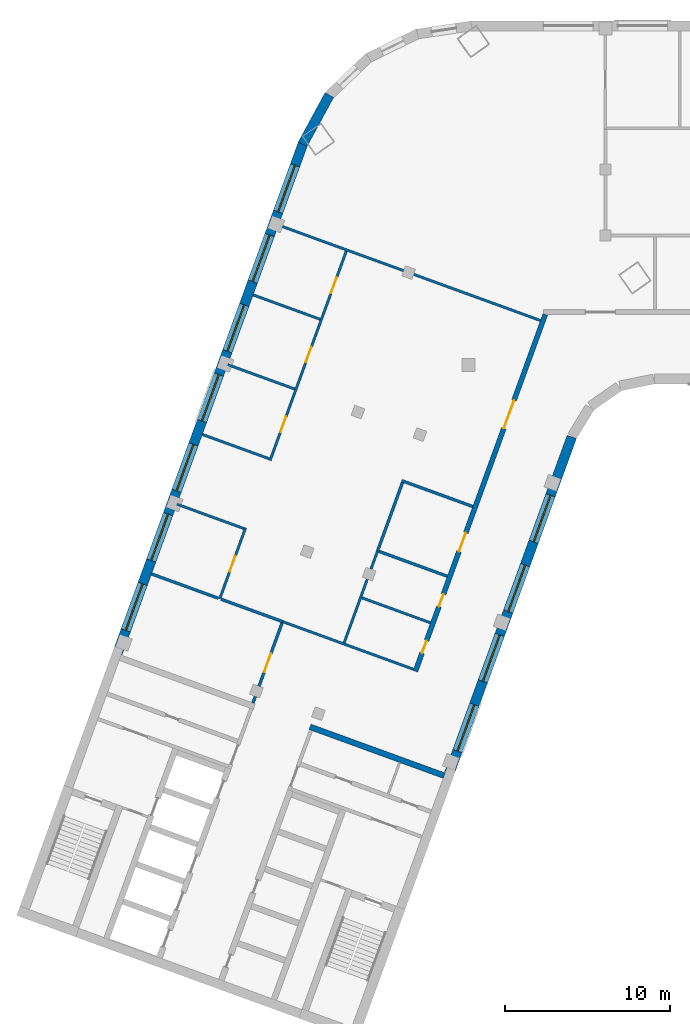
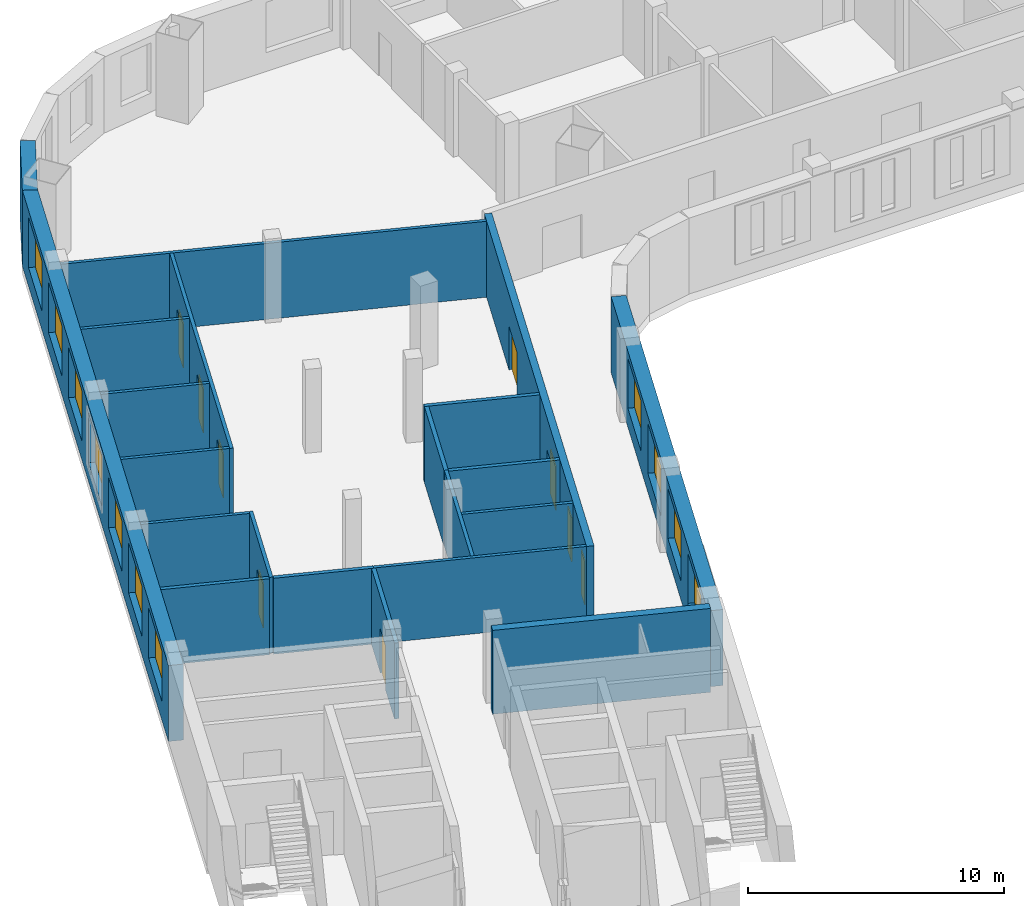
# One storey, part 3 of 8: 21 walls, 11 windows, 9 doors, 20 openings.
"""IFC4 building model written with IfcOpenShell, lengths in metres."""

from ifc_helpers import new_model, si_unit, direction, frame, frame_2d, origin, place, context, subcontext, project, spatial, rectangle, extrude, material, layer, layer_set, type_object, element, fill, save


model = new_model("IFC4")

# Units and contexts
model_context = context("Model", 3, precision=1e-05, world=origin(), true_north=direction((0.0, 1.0)))
body_context = subcontext(model_context, "Body", "Model", "MODEL_VIEW")
ifc_project = project(units=[si_unit("LENGTHUNIT", "METRE"), si_unit("AREAUNIT", "SQUARE_METRE"), si_unit("VOLUMEUNIT", "CUBIC_METRE"), si_unit("PLANEANGLEUNIT", "RADIAN"), si_unit("MASSUNIT", "GRAM", prefix="KILO")], contexts=[model_context])

# Site, building, storey
site_placement = place(None, origin())
site = spatial("IfcSite", under=ifc_project, at=site_placement, CompositionType="ELEMENT")
building_placement = place(site_placement, origin())
building = spatial("IfcBuilding", under=site, at=building_placement, Name="Skarvind Civic Tower", CompositionType="ELEMENT")
storey_placement = place(building_placement, frame((0.0, 0.0, 146.5)))
storey = spatial("IfcBuildingStorey", under=building, at=storey_placement, Name="L34", CompositionType="ELEMENT", Elevation=146.5)

# Walls
ifc_material_1 = material(Name="Acoustic gypsum board on steel studs", Category="steel")
ifc_layer_1 = layer(ifc_material_1, 0.175048828125)
ifc_layer_set_1 = layer_set([ifc_layer_1], Name="ACOUSTIC MEETING-ROOM PARTITION 175")
wall_type_1 = type_object("IfcWallType", Name="ACOUSTIC MEETING-ROOM PARTITION 175", PredefinedType="PARTITIONING", material=ifc_layer_set_1)
wall_1_placement = place(storey_placement, frame((26.736083984375, 105.47998046875, 0.0), z_axis=(0.0, 0.0, 1.0), x_axis=(0.939677739056, -0.342061027776, 0.0)))
element("IfcWall", 1, at=wall_1_placement, inside=storey, type_object=wall_type_1, Name="Partition 34.001", PredefinedType="PARTITIONING", context=body_context, shape_type="SweptSolid", body=[
    extrude(rectangle(XDim=4.315185546875, YDim=0.175048828125, at=frame_2d((2.15771484375, 0.0))), origin(), (0.0, 0.0, 1.0), 3.625),
])
wall_2_placement = place(storey_placement, frame((30.949951171875, 103.946044921875, 0.0), z_axis=(0.0, 0.0, 1.0), x_axis=(0.939739492658, -0.341891336449, 0.0)))
element("IfcWall", 2, at=wall_2_placement, inside=storey, type_object=wall_type_1, Name="Partition 34.003", PredefinedType="PARTITIONING", context=body_context, shape_type="SweptSolid", body=[
    extrude(rectangle(XDim=3.966064453125, YDim=0.175048828125, at=frame_2d((1.98291015625, 0.0))), origin(), (0.0, 0.0, 1.0), 3.625),
])

# Wall, opening, door
wall_3_placement = place(storey_placement, frame((32.881103515625, 97.656982421875, 0.0), z_axis=(0.0, 0.0, 1.0), x_axis=(0.342058204353, 0.939678766832, 0.0)))
wall_3 = element("IfcWall", 3, at=wall_3_placement, inside=storey, type_object=wall_type_1, Name="Partition 34.010", PredefinedType="PARTITIONING", context=body_context, shape_type="SweptSolid", body=[
    extrude(rectangle(XDim=5.16259765625, YDim=0.175048828125, at=frame_2d((2.581298828125, 0.0))), origin(), (0.0, 0.0, 1.0), 3.625),
])
opening_1_placement = place(wall_3_placement, frame((1.9912109375, 0.0, 0.0)))
opening_1 = element("IfcOpeningElement", 4, at=opening_1_placement, cuts=wall_3, Name="Opening L34-D015", PredefinedType="OPENING", context=body_context, shape_type="SweptSolid", body=[
    extrude(rectangle(XDim=1.199951171875, YDim=2.10009765625, at=frame_2d((0.60009765625, 1.050048828125))), frame((0.0, 0.097412109375, 0.0), z_axis=(0.0, -1.0, 0.0), x_axis=(1.0, 0.0, 0.0)), (0.0, 0.0, 1.0), 0.195068359375),
])
ifc_material_2 = material(Name="Timber door leaf", Category="wood")
door_type_1 = type_object("IfcDoorType", Name="DOOR 1200X2100 DOUBLE TIMBER", OperationType="NOTDEFINED", PredefinedType="DOOR", material=ifc_material_2)
door_1_placement = place(opening_1_placement, origin())
door_1 = element("IfcDoor", 5, at=door_1_placement, inside=storey, type_object=door_type_1, Name="Door L34-D015", OperationType="DOUBLE_DOOR_SINGLE_SWING", OverallHeight=2.10009765625, OverallWidth=1.199951171875, PredefinedType="DOOR", context=body_context, shape_type="SweptSolid", body=[
    extrude(rectangle(XDim=1.199951171875, YDim=2.10009765625, at=frame_2d((0.60009765625, 1.050048828125))), frame((0.0, 0.02490234375, 0.0), z_axis=(0.0, -1.0, 0.0), x_axis=(1.0, 0.0, 0.0)), (0.0, 0.0, 1.0), 0.050048828125),
])
fill(opening_1, door_1)

# Walls
wall_4_placement = place(storey_placement, frame((40.52197265625, 106.847900390625, 0.0), z_axis=(0.0, 0.0, 1.0), x_axis=(0.939646357962, -0.342147222654, 0.0)))
element("IfcWall", 6, at=wall_4_placement, inside=storey, type_object=wall_type_1, Name="Partition 34.015", PredefinedType="PARTITIONING", context=body_context, shape_type="SweptSolid", body=[
    extrude(rectangle(XDim=4.413330078125, YDim=0.175048828125, at=frame_2d((2.20654296875, 0.0))), origin(), (0.0, 0.0, 1.0), 3.625),
])
wall_5_placement = place(storey_placement, frame((41.949951171875, 111.02392578125, 0.0), z_axis=(0.0, 0.0, 1.0), x_axis=(-0.342218375959, -0.939620446327, 0.0)))
element("IfcWall", 7, at=wall_5_placement, inside=storey, type_object=wall_type_1, Name="Partition 34.016", PredefinedType="PARTITIONING", context=body_context, shape_type="SweptSolid", body=[
    extrude(rectangle(XDim=4.412353515625, YDim=0.175048828125, at=frame_2d((2.2060546875, 0.0))), origin(), (0.0, 0.0, 1.0), 3.625),
])
wall_6_placement = place(storey_placement, frame((46.2080078125, 109.56689453125, 0.0), z_axis=(0.0, 0.0, 1.0), x_axis=(-0.939667480086, 0.342089208934, 0.0)))
element("IfcWall", 8, at=wall_6_placement, inside=storey, type_object=wall_type_1, Name="Partition 34.018", PredefinedType="PARTITIONING", context=body_context, shape_type="SweptSolid", body=[
    extrude(rectangle(XDim=4.586669921875, YDim=0.175048828125, at=frame_2d((2.29345703125, 0.0))), origin(), (0.0, 0.0, 1.0), 3.625),
])

# Wall, openings, doors
ifc_material_3 = material(Name="Fire-rated gypsum board on steel studs", Category="steel")
ifc_layer_2 = layer(ifc_material_3, 0.300048828125)
ifc_layer_set_2 = layer_set([ifc_layer_2], Name="CORRIDOR WALL 300")
wall_type_2 = type_object("IfcWallType", Name="CORRIDOR WALL 300", PredefinedType="PARTITIONING", material=ifc_layer_set_2)
wall_7_placement = place(storey_placement, frame((42.73193359375, 99.5791015625, 0.0), z_axis=(0.0, 0.0, 1.0), x_axis=(0.342036000593, 0.939686849061, 0.0)))
wall_7 = element("IfcWall", 9, at=wall_7_placement, inside=storey, type_object=wall_type_2, Name="Partition 34.017", PredefinedType="PARTITIONING", context=body_context, shape_type="SweptSolid", body=[
    extrude(rectangle(XDim=23.01806640625, YDim=0.300048828125, at=frame_2d((11.509033203125, 0.0))), origin(), (0.0, 0.0, 1.0), 3.625),
])
opening_2_placement = place(wall_7_placement, frame((1.174560546875, 0.0, 0.0)))
opening_2 = element("IfcOpeningElement", 10, at=opening_2_placement, cuts=wall_7, Name="Opening L34-D016", PredefinedType="OPENING", context=body_context, shape_type="SweptSolid", body=[
    extrude(rectangle(XDim=0.800048828125, YDim=2.10009765625, at=frame_2d((0.39990234375, 1.050048828125))), frame((0.0, 0.159912109375, 0.0), z_axis=(0.0, -1.0, 0.0), x_axis=(1.0, 0.0, 0.0)), (0.0, 0.0, 1.0), 0.320068359375),
])
opening_3_placement = place(wall_7_placement, frame((4.174560546875, 0.0, 0.0)))
opening_3 = element("IfcOpeningElement", 11, at=opening_3_placement, cuts=wall_7, Name="Opening L34-D017", PredefinedType="OPENING", context=body_context, shape_type="SweptSolid", body=[
    extrude(rectangle(XDim=0.800048828125, YDim=2.10009765625, at=frame_2d((0.39990234375, 1.050048828125))), frame((0.0, 0.159912109375, 0.0), z_axis=(0.0, -1.0, 0.0), x_axis=(1.0, 0.0, 0.0)), (0.0, 0.0, 1.0), 0.320068359375),
])
opening_4_placement = place(wall_7_placement, frame((7.724609375, 0.0, 0.0)))
opening_4 = element("IfcOpeningElement", 12, at=opening_4_placement, cuts=wall_7, Name="Opening L34-D018", PredefinedType="OPENING", context=body_context, shape_type="SweptSolid", body=[
    extrude(rectangle(XDim=1.199951171875, YDim=2.10009765625, at=frame_2d((0.60009765625, 1.050048828125))), frame((0.0, 0.159912109375, 0.0), z_axis=(0.0, -1.0, 0.0), x_axis=(1.0, 0.0, 0.0)), (0.0, 0.0, 1.0), 0.320068359375),
])
opening_5_placement = place(wall_7_placement, frame((15.674560546875, 0.0, 0.0)))
opening_5 = element("IfcOpeningElement", 13, at=opening_5_placement, cuts=wall_7, Name="Opening L34-D023", PredefinedType="OPENING", context=body_context, shape_type="SweptSolid", body=[
    extrude(rectangle(XDim=1.800048828125, YDim=2.10009765625, at=frame_2d((0.89990234375, 1.050048828125))), frame((0.0, 0.159912109375, 0.0), z_axis=(0.0, -1.0, 0.0), x_axis=(1.0, 0.0, 0.0)), (0.0, 0.0, 1.0), 0.320068359375),
])
ifc_material_4 = material(Name="Fire-rated timber door leaf", Category="wood")
door_type_2 = type_object("IfcDoorType", Name="FD4 1800x2100", OperationType="NOTDEFINED", PredefinedType="DOOR", material=ifc_material_4)
door_2_placement = place(opening_5_placement, origin())
door_2 = element("IfcDoor", 14, at=door_2_placement, inside=storey, type_object=door_type_2, Name="Door L34-D023", OperationType="DOUBLE_DOOR_SINGLE_SWING", OverallHeight=2.10009765625, OverallWidth=1.800048828125, PredefinedType="DOOR", context=body_context, shape_type="SweptSolid", body=[
    extrude(rectangle(XDim=1.800048828125, YDim=2.10009765625, at=frame_2d((0.89990234375, 1.050048828125))), frame((0.0, 0.02490234375, 0.0), z_axis=(0.0, -1.0, 0.0), x_axis=(1.0, 0.0, 0.0)), (0.0, 0.0, 1.0), 0.050048828125),
])
fill(opening_5, door_2)
door_type_3 = type_object("IfcDoorType", Name="FD5 800x2100", OperationType="NOTDEFINED", PredefinedType="DOOR", material=ifc_material_4)
door_3_placement = place(opening_2_placement, origin())
door_3 = element("IfcDoor", 15, at=door_3_placement, inside=storey, type_object=door_type_3, Name="Door L34-D016", OperationType="SINGLE_SWING_RIGHT", OverallHeight=2.10009765625, OverallWidth=0.800048828125, PredefinedType="DOOR", context=body_context, shape_type="SweptSolid", body=[
    extrude(rectangle(XDim=0.800048828125, YDim=2.10009765625, at=frame_2d((0.39990234375, 1.050048828125))), frame((0.0, 0.02490234375, 0.0), z_axis=(0.0, -1.0, 0.0), x_axis=(1.0, 0.0, 0.0)), (0.0, 0.0, 1.0), 0.050048828125),
])
fill(opening_2, door_3)
door_4_placement = place(opening_3_placement, origin())
door_4 = element("IfcDoor", 16, at=door_4_placement, inside=storey, type_object=door_type_3, Name="Door L34-D017", OperationType="SINGLE_SWING_LEFT", OverallHeight=2.10009765625, OverallWidth=0.800048828125, PredefinedType="DOOR", context=body_context, shape_type="SweptSolid", body=[
    extrude(rectangle(XDim=0.800048828125, YDim=2.10009765625, at=frame_2d((0.39990234375, 1.050048828125))), frame((0.0, 0.02490234375, 0.0), z_axis=(0.0, -1.0, 0.0), x_axis=(1.0, 0.0, 0.0)), (0.0, 0.0, 1.0), 0.050048828125),
])
fill(opening_3, door_4)
door_type_4 = type_object("IfcDoorType", Name="FD6 1200x2100 DOUBLE", OperationType="NOTDEFINED", PredefinedType="DOOR", material=ifc_material_4)
door_5_placement = place(opening_4_placement, origin())
door_5 = element("IfcDoor", 17, at=door_5_placement, inside=storey, type_object=door_type_4, Name="Door L34-D018", OperationType="DOUBLE_DOOR_SINGLE_SWING", OverallHeight=2.10009765625, OverallWidth=1.199951171875, PredefinedType="DOOR", context=body_context, shape_type="SweptSolid", body=[
    extrude(rectangle(XDim=1.199951171875, YDim=2.10009765625, at=frame_2d((0.60009765625, 1.050048828125))), frame((0.0, 0.02490234375, 0.0), z_axis=(0.0, -1.0, 0.0), x_axis=(1.0, 0.0, 0.0)), (0.0, 0.0, 1.0), 0.050048828125),
])
fill(opening_4, door_5)

# Walls
ifc_material_5 = material(Name="Concrete C60", Category="concrete")
ifc_layer_3 = layer(ifc_material_5, 0.35009765625)
ifc_layer_set_3 = layer_set([ifc_layer_3], Name="Core wall 350 C60")
wall_type_3 = type_object("IfcWallType", Name="Core wall 350 C60", PredefinedType="SHEAR", material=ifc_layer_set_3)
wall_8_placement = place(storey_placement, frame((44.473388671875, 93.25146484375, 0.0), z_axis=(0.0, 0.0, 1.0), x_axis=(-0.939692847377, 0.34201952077, 0.0)))
element("IfcWall", 18, at=wall_8_placement, inside=storey, type_object=wall_type_3, Name="Core wall C2 south inner face L34", PredefinedType="SHEAR", context=body_context, shape_type="SweptSolid", body=[
    extrude(rectangle(XDim=8.650146484375, YDim=0.35009765625, at=frame_2d((4.3251953125, 0.0))), origin(), (0.0, 0.0, 1.0), 4.0),
])
ifc_material_6 = material(Name="Plasterboard partition on steel studs", Category="steel")
ifc_layer_4 = layer(ifc_material_6, 0.14990234375)
ifc_layer_set_4 = layer_set([ifc_layer_4], Name="PARTITION 150")
wall_type_4 = type_object("IfcWallType", Name="PARTITION 150", PredefinedType="PARTITIONING", material=ifc_layer_set_4)
wall_9_placement = place(storey_placement, frame((28.27490234375, 109.708984375, 0.0), z_axis=(0.0, 0.0, 1.0), x_axis=(0.939737385516, -0.341897128188, 0.0)))
element("IfcWall", 19, at=wall_9_placement, inside=storey, type_object=wall_type_4, Name="Partition 34.002", PredefinedType="PARTITIONING", context=body_context, shape_type="SweptSolid", body=[
    extrude(rectangle(XDim=4.325927734375, YDim=0.14990234375, at=frame_2d((2.1630859375, 0.0))), origin(), (0.0, 0.0, 1.0), 3.625),
])
wall_10_placement = place(storey_placement, frame((31.35302734375, 118.166015625, 0.0), z_axis=(0.0, 0.0, 1.0), x_axis=(0.939803311208, -0.341715870634, 0.0)))
element("IfcWall", 20, at=wall_10_placement, inside=storey, type_object=wall_type_4, Name="Partition 34.004", PredefinedType="PARTITIONING", context=body_context, shape_type="SweptSolid", body=[
    extrude(rectangle(XDim=4.3251953125, YDim=0.14990234375, at=frame_2d((2.16259765625, 0.0))), origin(), (0.0, 0.0, 1.0), 3.625),
])

# Wall, opening, door
wall_11_placement = place(storey_placement, frame((32.43603515625, 108.27392578125, 0.0), z_axis=(0.0, 0.0, 1.0), x_axis=(-0.342145890874, -0.939646842893, 0.0)))
wall_11 = element("IfcWall", 21, at=wall_11_placement, inside=storey, type_object=wall_type_4, Name="Partition 34.005", PredefinedType="PARTITIONING", context=body_context, shape_type="SweptSolid", body=[
    extrude(rectangle(XDim=4.573974609375, YDim=0.14990234375, at=frame_2d((2.287109375, 0.0))), origin(), (0.0, 0.0, 1.0), 3.625),
])
opening_6_placement = place(wall_11_placement, frame((1.82421875, 0.0, 0.0)))
opening_6 = element("IfcOpeningElement", 22, at=opening_6_placement, cuts=wall_11, Name="Opening L34-D019", PredefinedType="OPENING", context=body_context, shape_type="SweptSolid", body=[
    extrude(rectangle(XDim=1.0, YDim=2.10009765625, at=frame_2d((0.5, 1.050048828125))), frame((0.0, 0.0849609375, 0.0), z_axis=(0.0, -1.0, 0.0), x_axis=(1.0, 0.0, 0.0)), (0.0, 0.0, 1.0), 0.169921875),
])
door_type_5 = type_object("IfcDoorType", Name="D1 1000x2100", OperationType="NOTDEFINED", PredefinedType="DOOR", material=ifc_material_2)
door_6_placement = place(opening_6_placement, origin())
door_6 = element("IfcDoor", 23, at=door_6_placement, inside=storey, type_object=door_type_5, Name="Door L34-D019", OperationType="SINGLE_SWING_LEFT", OverallHeight=2.10009765625, OverallWidth=1.0, PredefinedType="DOOR", context=body_context, shape_type="SweptSolid", body=[
    extrude(rectangle(XDim=1.0, YDim=2.10009765625, at=frame_2d((0.5, 1.050048828125))), frame((0.0, 0.02490234375, 0.0), z_axis=(0.0, -1.0, 0.0), x_axis=(1.0, 0.0, 0.0)), (0.0, 0.0, 1.0), 0.050048828125),
])
fill(opening_6, door_6)

# Walls
for number, where, z_axis, x_axis, name in (
    (24, (32.89208984375, 122.39501953125, 0.0), (0.0, 0.0, 1.0), (0.93973078783, -0.341915262023, 0.0), "Partition 34.006"),
    (25, (33.87890625, 112.458984375, 0.0), (0.0, 0.0, 1.0), (-0.93973078783, 0.341915262023, 0.0), "Partition 34.007"),
):
    element("IfcWall", number, at=place(storey_placement, frame(where, z_axis=z_axis, x_axis=x_axis)), inside=storey, type_object=wall_type_4, Name=name, PredefinedType="PARTITIONING", context=body_context, shape_type="SweptSolid", body=[
        extrude(rectangle(XDim=4.32568359375, YDim=0.14990234375, at=frame_2d((2.162841796875, 0.0))), origin(), (0.0, 0.0, 1.0), 3.625),
    ])

# Wall, openings, doors
wall_12_placement = place(storey_placement, frame((38.5400390625, 125.049072265625, 0.0), z_axis=(0.0, 0.0, 1.0), x_axis=(-0.341994252555, -0.939702043852, 0.0)))
wall_12 = element("IfcWall", 26, at=wall_12_placement, inside=storey, type_object=wall_type_4, Name="Partition 34.008", PredefinedType="PARTITIONING", context=body_context, shape_type="SweptSolid", body=[
    extrude(rectangle(XDim=13.5, YDim=0.14990234375, at=frame_2d((6.75, 0.0))), origin(), (0.0, 0.0, 1.0), 3.625),
])
opening_7_placement = place(wall_12_placement, frame((10.67529296875, 0.0, 0.0)))
opening_7 = element("IfcOpeningElement", 27, at=opening_7_placement, cuts=wall_12, Name="Opening L34-D020", PredefinedType="OPENING", context=body_context, shape_type="SweptSolid", body=[
    extrude(rectangle(XDim=1.0, YDim=2.10009765625, at=frame_2d((0.5, 1.050048828125))), frame((0.0, 0.0849609375, 0.0), z_axis=(0.0, -1.0, 0.0), x_axis=(1.0, 0.0, 0.0)), (0.0, 0.0, 1.0), 0.169921875),
])
opening_8_placement = place(wall_12_placement, frame((6.175537109375, 0.0, 0.0)))
opening_8 = element("IfcOpeningElement", 28, at=opening_8_placement, cuts=wall_12, Name="Opening L34-D021", PredefinedType="OPENING", context=body_context, shape_type="SweptSolid", body=[
    extrude(rectangle(XDim=1.0, YDim=2.10009765625, at=frame_2d((0.5, 1.050048828125))), frame((0.0, 0.0849609375, 0.0), z_axis=(0.0, -1.0, 0.0), x_axis=(1.0, 0.0, 0.0)), (0.0, 0.0, 1.0), 0.169921875),
])
opening_9_placement = place(wall_12_placement, frame((1.70263671875, 0.0, 0.0)))
opening_9 = element("IfcOpeningElement", 29, at=opening_9_placement, cuts=wall_12, Name="Opening L34-D022", PredefinedType="OPENING", context=body_context, shape_type="SweptSolid", body=[
    extrude(rectangle(XDim=1.0, YDim=2.10009765625, at=frame_2d((0.5, 1.050048828125))), frame((0.0, 0.0849609375, 0.0), z_axis=(0.0, -1.0, 0.0), x_axis=(1.0, 0.0, 0.0)), (0.0, 0.0, 1.0), 0.169921875),
])
door_7_placement = place(opening_7_placement, origin())
door_7 = element("IfcDoor", 30, at=door_7_placement, inside=storey, type_object=door_type_5, Name="Door L34-D020", OperationType="SINGLE_SWING_LEFT", OverallHeight=2.10009765625, OverallWidth=1.0, PredefinedType="DOOR", context=body_context, shape_type="SweptSolid", body=[
    extrude(rectangle(XDim=1.0, YDim=2.10009765625, at=frame_2d((0.5, 1.050048828125))), frame((0.0, 0.02490234375, 0.0), z_axis=(0.0, -1.0, 0.0), x_axis=(1.0, 0.0, 0.0)), (0.0, 0.0, 1.0), 0.050048828125),
])
fill(opening_7, door_7)
door_8_placement = place(opening_8_placement, origin())
door_8 = element("IfcDoor", 31, at=door_8_placement, inside=storey, type_object=door_type_5, Name="Door L34-D021", OperationType="SINGLE_SWING_LEFT", OverallHeight=2.10009765625, OverallWidth=1.0, PredefinedType="DOOR", context=body_context, shape_type="SweptSolid", body=[
    extrude(rectangle(XDim=1.0, YDim=2.10009765625, at=frame_2d((0.5, 1.050048828125))), frame((0.0, 0.02490234375, 0.0), z_axis=(0.0, -1.0, 0.0), x_axis=(1.0, 0.0, 0.0)), (0.0, 0.0, 1.0), 0.050048828125),
])
fill(opening_8, door_8)
door_9_placement = place(opening_9_placement, origin())
door_9 = element("IfcDoor", 32, at=door_9_placement, inside=storey, type_object=door_type_5, Name="Door L34-D022", OperationType="SINGLE_SWING_LEFT", OverallHeight=2.10009765625, OverallWidth=1.0, PredefinedType="DOOR", context=body_context, shape_type="SweptSolid", body=[
    extrude(rectangle(XDim=1.0, YDim=2.10009765625, at=frame_2d((0.5, 1.050048828125))), frame((0.0, 0.02490234375, 0.0), z_axis=(0.0, -1.0, 0.0), x_axis=(1.0, 0.0, 0.0)), (0.0, 0.0, 1.0), 0.050048828125),
])
fill(opening_9, door_9)

# Walls
wall_13_placement = place(storey_placement, frame((34.431884765625, 126.6240234375, 0.0), z_axis=(0.0, 0.0, 1.0), x_axis=(0.939664702396, -0.342096838733, 0.0)))
element("IfcWall", 33, at=wall_13_placement, inside=storey, type_object=wall_type_4, Name="Partition 34.009", PredefinedType="PARTITIONING", context=body_context, shape_type="SweptSolid", body=[
    extrude(rectangle(XDim=16.898681640625, YDim=0.14990234375, at=frame_2d((8.44921875, 0.0))), origin(), (0.0, 0.0, 1.0), 3.625),
])
wall_14_placement = place(storey_placement, frame((34.677001953125, 102.590087890625, 0.0), z_axis=(0.0, 0.0, 1.0), x_axis=(0.939683705252, -0.342044637561, 0.0)))
element("IfcWall", 34, at=wall_14_placement, inside=storey, type_object=wall_type_4, Name="Partition 34.011", PredefinedType="PARTITIONING", context=body_context, shape_type="SweptSolid", body=[
    extrude(rectangle(XDim=8.44970703125, YDim=0.14990234375, at=frame_2d((4.224853515625, 0.0))), origin(), (0.0, 0.0, 1.0), 3.625),
])
wall_15_placement = place(storey_placement, frame((38.4140625, 101.30908203125, 0.0), z_axis=(0.0, 0.0, 1.0), x_axis=(0.34186876189, 0.939747705315, 0.0)))
element("IfcWall", 35, at=wall_15_placement, inside=storey, type_object=wall_type_4, Name="Partition 34.013", PredefinedType="PARTITIONING", context=body_context, shape_type="SweptSolid", body=[
    extrude(rectangle(XDim=5.92578125, YDim=0.14990234375, at=frame_2d((2.962890625, 0.0))), origin(), (0.0, 0.0, 1.0), 3.625),
])
wall_16_placement = place(storey_placement, frame((39.48388671875, 104.032958984375, 0.0), z_axis=(0.0, 0.0, 1.0), x_axis=(0.939685474739, -0.342039776289, 0.0)))
element("IfcWall", 36, at=wall_16_placement, inside=storey, type_object=wall_type_4, Name="Partition 34.014", PredefinedType="PARTITIONING", context=body_context, shape_type="SweptSolid", body=[
    extrude(rectangle(XDim=4.426025390625, YDim=0.14990234375, at=frame_2d((2.212890625, 0.0))), origin(), (0.0, 0.0, 1.0), 3.625),
])

# Wall, openings, windows
ifc_material_7 = material(Name="Limestone masonry cladding on insulated backing", Category="masonry")
ifc_layer_5 = layer(ifc_material_7, 0.60009765625)
ifc_layer_set_5 = layer_set([ifc_layer_5], Name="WX1 STONE FACADE WALL 600")
wall_type_5 = type_object("IfcWallType", Name="WX1 STONE FACADE WALL 600", PredefinedType="SOLIDWALL", material=ifc_layer_set_5)
wall_17_placement = place(storey_placement, frame((52.212158203125, 113.78271484375, 0.0), z_axis=(0.0, 0.0, 1.0), x_axis=(-0.34202521188, -0.939690775968, 0.0)))
wall_17 = element("IfcWall", 37, at=wall_17_placement, inside=storey, type_object=wall_type_5, Name="STONE FACADE WALL", PredefinedType="SOLIDWALL", context=body_context, shape_type="SweptSolid", body=[
    extrude(rectangle(XDim=21.744873046875, YDim=0.60009765625, at=frame_2d((10.87255859375, 0.0))), origin(), (0.0, 0.0, 1.0), 3.625),
])
opening_10_placement = place(wall_17_placement, frame((3.764892578125, 0.0, 0.89990234375)))
opening_10 = element("IfcOpeningElement", 38, at=opening_10_placement, cuts=wall_17, Name="Opening WN1", PredefinedType="OPENING", context=body_context, shape_type="SweptSolid", body=[
    extrude(rectangle(XDim=3.0, YDim=2.39990234375, at=frame_2d((1.5, 1.199951171875))), frame((0.0, 0.31005859375, 0.0), z_axis=(0.0, -1.0, 0.0), x_axis=(1.0, 0.0, 0.0)), (0.0, 0.0, 1.0), 0.6201171875),
])
opening_11_placement = place(wall_17_placement, frame((8.264892578125, 0.0, 0.89990234375)))
opening_11 = element("IfcOpeningElement", 39, at=opening_11_placement, cuts=wall_17, Name="Opening WN1", PredefinedType="OPENING", context=body_context, shape_type="SweptSolid", body=[
    extrude(rectangle(XDim=3.0, YDim=2.39990234375, at=frame_2d((1.5, 1.199951171875))), frame((0.0, 0.31005859375, 0.0), z_axis=(0.0, -1.0, 0.0), x_axis=(1.0, 0.0, 0.0)), (0.0, 0.0, 1.0), 0.6201171875),
])
opening_12_placement = place(wall_17_placement, frame((12.764892578125, 0.0, 0.89990234375)))
opening_12 = element("IfcOpeningElement", 40, at=opening_12_placement, cuts=wall_17, Name="Opening WN1", PredefinedType="OPENING", context=body_context, shape_type="SweptSolid", body=[
    extrude(rectangle(XDim=3.0, YDim=2.39990234375, at=frame_2d((1.5, 1.199951171875))), frame((0.0, 0.31005859375, 0.0), z_axis=(0.0, -1.0, 0.0), x_axis=(1.0, 0.0, 0.0)), (0.0, 0.0, 1.0), 0.6201171875),
])
opening_13_placement = place(wall_17_placement, frame((17.264892578125, 0.0, 0.89990234375)))
opening_13 = element("IfcOpeningElement", 41, at=opening_13_placement, cuts=wall_17, Name="Opening WN1", PredefinedType="OPENING", context=body_context, shape_type="SweptSolid", body=[
    extrude(rectangle(XDim=3.0, YDim=2.39990234375, at=frame_2d((1.5, 1.199951171875))), frame((0.0, 0.31005859375, 0.0), z_axis=(0.0, -1.0, 0.0), x_axis=(1.0, 0.0, 0.0)), (0.0, 0.0, 1.0), 0.6201171875),
])
ifc_material_8 = material(Name="Timber frame, double glazing, timber-lined reveal", Category="wood")
window_type = type_object("IfcWindowType", Name="WN1 PUNCHED STONE WINDOW 3000 x 2400", PartitioningType="SINGLE_PANEL", PredefinedType="WINDOW", material=ifc_material_8)
window_1_placement = place(opening_10_placement, origin())
window_1 = element("IfcWindow", 42, at=window_1_placement, inside=storey, type_object=window_type, Name="WN1 WINDOW", OverallHeight=2.39990234375, OverallWidth=3.0, PartitioningType="SINGLE_PANEL", PredefinedType="WINDOW", context=body_context, shape_type="SweptSolid", body=[
    extrude(rectangle(XDim=3.0, YDim=2.39990234375, at=frame_2d((1.5, 1.199951171875))), frame((0.0, 0.030029296875, 0.0), z_axis=(0.0, -1.0, 0.0), x_axis=(1.0, 0.0, 0.0)), (0.0, 0.0, 1.0), 0.06005859375),
])
fill(opening_10, window_1)
window_2_placement = place(opening_11_placement, origin())
window_2 = element("IfcWindow", 43, at=window_2_placement, inside=storey, type_object=window_type, Name="WN1 WINDOW", OverallHeight=2.39990234375, OverallWidth=3.0, PartitioningType="SINGLE_PANEL", PredefinedType="WINDOW", context=body_context, shape_type="SweptSolid", body=[
    extrude(rectangle(XDim=3.0, YDim=2.39990234375, at=frame_2d((1.5, 1.199951171875))), frame((0.0, 0.030029296875, 0.0), z_axis=(0.0, -1.0, 0.0), x_axis=(1.0, 0.0, 0.0)), (0.0, 0.0, 1.0), 0.06005859375),
])
fill(opening_11, window_2)
window_3_placement = place(opening_12_placement, origin())
window_3 = element("IfcWindow", 44, at=window_3_placement, inside=storey, type_object=window_type, Name="WN1 WINDOW", OverallHeight=2.39990234375, OverallWidth=3.0, PartitioningType="SINGLE_PANEL", PredefinedType="WINDOW", context=body_context, shape_type="SweptSolid", body=[
    extrude(rectangle(XDim=3.0, YDim=2.39990234375, at=frame_2d((1.5, 1.199951171875))), frame((0.0, 0.030029296875, 0.0), z_axis=(0.0, -1.0, 0.0), x_axis=(1.0, 0.0, 0.0)), (0.0, 0.0, 1.0), 0.06005859375),
])
fill(opening_12, window_3)
window_4_placement = place(opening_13_placement, origin())
window_4 = element("IfcWindow", 45, at=window_4_placement, inside=storey, type_object=window_type, Name="WN1 WINDOW", OverallHeight=2.39990234375, OverallWidth=3.0, PartitioningType="SINGLE_PANEL", PredefinedType="WINDOW", context=body_context, shape_type="SweptSolid", body=[
    extrude(rectangle(XDim=3.0, YDim=2.39990234375, at=frame_2d((1.5, 1.199951171875))), frame((0.0, 0.030029296875, 0.0), z_axis=(0.0, -1.0, 0.0), x_axis=(1.0, 0.0, 0.0)), (0.0, 0.0, 1.0), 0.06005859375),
])
fill(opening_13, window_4)

# Wall
wall_18_placement = place(storey_placement, frame((35.89453125, 131.529541015625, 0.0), z_axis=(0.0, 0.0, 1.0), x_axis=(0.476531180538, 0.879157570618, 0.0)))
element("IfcWall", 46, at=wall_18_placement, inside=storey, type_object=wall_type_5, Name="STONE FACADE WALL", PredefinedType="SOLIDWALL", context=body_context, shape_type="SweptSolid", body=[
    extrude(rectangle(XDim=3.392578125, YDim=0.60009765625, at=frame_2d((1.6962890625, 0.0))), origin(), (0.0, 0.0, 1.0), 3.625),
])

# Wall, openings, windows
wall_19_placement = place(storey_placement, frame((24.66552734375, 100.668701171875, 0.0), z_axis=(0.0, 0.0, 1.0), x_axis=(0.34201964167, 0.939692803373, 0.0)))
wall_19 = element("IfcWall", 47, at=wall_19_placement, inside=storey, type_object=wall_type_5, Name="STONE FACADE WALL", PredefinedType="SOLIDWALL", context=body_context, shape_type="SweptSolid", body=[
    extrude(rectangle(XDim=32.88427734375, YDim=0.60009765625, at=frame_2d((16.442138671875, 0.0))), origin(), (0.0, 0.0, 1.0), 3.625),
])
opening_14_placement = place(wall_19_placement, frame((1.47998046875, 0.0, 0.89990234375)))
opening_14 = element("IfcOpeningElement", 48, at=opening_14_placement, cuts=wall_19, Name="Opening WN1", PredefinedType="OPENING", context=body_context, shape_type="SweptSolid", body=[
    extrude(rectangle(XDim=3.0, YDim=2.39990234375, at=frame_2d((1.5, 1.199951171875))), frame((0.0, 0.31005859375, 0.0), z_axis=(0.0, -1.0, 0.0), x_axis=(1.0, 0.0, 0.0)), (0.0, 0.0, 1.0), 0.6201171875),
])
opening_15_placement = place(wall_19_placement, frame((5.97998046875, 0.0, 0.89990234375)))
opening_15 = element("IfcOpeningElement", 49, at=opening_15_placement, cuts=wall_19, Name="Opening WN1", PredefinedType="OPENING", context=body_context, shape_type="SweptSolid", body=[
    extrude(rectangle(XDim=3.0, YDim=2.39990234375, at=frame_2d((1.5, 1.199951171875))), frame((0.0, 0.31005859375, 0.0), z_axis=(0.0, -1.0, 0.0), x_axis=(1.0, 0.0, 0.0)), (0.0, 0.0, 1.0), 0.6201171875),
])
opening_16_placement = place(wall_19_placement, frame((10.47998046875, 0.0, 0.89990234375)))
opening_16 = element("IfcOpeningElement", 50, at=opening_16_placement, cuts=wall_19, Name="Opening WN1", PredefinedType="OPENING", context=body_context, shape_type="SweptSolid", body=[
    extrude(rectangle(XDim=3.0, YDim=2.39990234375, at=frame_2d((1.5, 1.199951171875))), frame((0.0, 0.31005859375, 0.0), z_axis=(0.0, -1.0, 0.0), x_axis=(1.0, 0.0, 0.0)), (0.0, 0.0, 1.0), 0.6201171875),
])
opening_17_placement = place(wall_19_placement, frame((14.97998046875, 0.0, 0.89990234375)))
opening_17 = element("IfcOpeningElement", 51, at=opening_17_placement, cuts=wall_19, Name="Opening WN1", PredefinedType="OPENING", context=body_context, shape_type="SweptSolid", body=[
    extrude(rectangle(XDim=3.0, YDim=2.39990234375, at=frame_2d((1.5, 1.199951171875))), frame((0.0, 0.31005859375, 0.0), z_axis=(0.0, -1.0, 0.0), x_axis=(1.0, 0.0, 0.0)), (0.0, 0.0, 1.0), 0.6201171875),
])
opening_18_placement = place(wall_19_placement, frame((19.47998046875, 0.0, 0.89990234375)))
opening_18 = element("IfcOpeningElement", 52, at=opening_18_placement, cuts=wall_19, Name="Opening WN1", PredefinedType="OPENING", context=body_context, shape_type="SweptSolid", body=[
    extrude(rectangle(XDim=3.0, YDim=2.39990234375, at=frame_2d((1.5, 1.199951171875))), frame((0.0, 0.31005859375, 0.0), z_axis=(0.0, -1.0, 0.0), x_axis=(1.0, 0.0, 0.0)), (0.0, 0.0, 1.0), 0.6201171875),
])
opening_19_placement = place(wall_19_placement, frame((23.97998046875, 0.0, 0.89990234375)))
opening_19 = element("IfcOpeningElement", 53, at=opening_19_placement, cuts=wall_19, Name="Opening WN1", PredefinedType="OPENING", context=body_context, shape_type="SweptSolid", body=[
    extrude(rectangle(XDim=3.0, YDim=2.39990234375, at=frame_2d((1.5, 1.199951171875))), frame((0.0, 0.31005859375, 0.0), z_axis=(0.0, -1.0, 0.0), x_axis=(1.0, 0.0, 0.0)), (0.0, 0.0, 1.0), 0.6201171875),
])
opening_20_placement = place(wall_19_placement, frame((28.47998046875, 0.0, 0.89990234375)))
opening_20 = element("IfcOpeningElement", 54, at=opening_20_placement, cuts=wall_19, Name="Opening WN1", PredefinedType="OPENING", context=body_context, shape_type="SweptSolid", body=[
    extrude(rectangle(XDim=3.0, YDim=2.39990234375, at=frame_2d((1.5, 1.199951171875))), frame((0.0, 0.31005859375, 0.0), z_axis=(0.0, -1.0, 0.0), x_axis=(1.0, 0.0, 0.0)), (0.0, 0.0, 1.0), 0.6201171875),
])
window_5_placement = place(opening_14_placement, origin())
window_5 = element("IfcWindow", 55, at=window_5_placement, inside=storey, type_object=window_type, Name="WN1 WINDOW", OverallHeight=2.39990234375, OverallWidth=3.0, PartitioningType="SINGLE_PANEL", PredefinedType="WINDOW", context=body_context, shape_type="SweptSolid", body=[
    extrude(rectangle(XDim=3.0, YDim=2.39990234375, at=frame_2d((1.5, 1.199951171875))), frame((0.0, 0.030029296875, 0.0), z_axis=(0.0, -1.0, 0.0), x_axis=(1.0, 0.0, 0.0)), (0.0, 0.0, 1.0), 0.06005859375),
])
fill(opening_14, window_5)
window_6_placement = place(opening_15_placement, origin())
window_6 = element("IfcWindow", 56, at=window_6_placement, inside=storey, type_object=window_type, Name="WN1 WINDOW", OverallHeight=2.39990234375, OverallWidth=3.0, PartitioningType="SINGLE_PANEL", PredefinedType="WINDOW", context=body_context, shape_type="SweptSolid", body=[
    extrude(rectangle(XDim=3.0, YDim=2.39990234375, at=frame_2d((1.5, 1.199951171875))), frame((0.0, 0.030029296875, 0.0), z_axis=(0.0, -1.0, 0.0), x_axis=(1.0, 0.0, 0.0)), (0.0, 0.0, 1.0), 0.06005859375),
])
fill(opening_15, window_6)
window_7_placement = place(opening_16_placement, origin())
window_7 = element("IfcWindow", 57, at=window_7_placement, inside=storey, type_object=window_type, Name="WN1 WINDOW", OverallHeight=2.39990234375, OverallWidth=3.0, PartitioningType="SINGLE_PANEL", PredefinedType="WINDOW", context=body_context, shape_type="SweptSolid", body=[
    extrude(rectangle(XDim=3.0, YDim=2.39990234375, at=frame_2d((1.5, 1.199951171875))), frame((0.0, 0.030029296875, 0.0), z_axis=(0.0, -1.0, 0.0), x_axis=(1.0, 0.0, 0.0)), (0.0, 0.0, 1.0), 0.06005859375),
])
fill(opening_16, window_7)
window_8_placement = place(opening_17_placement, origin())
window_8 = element("IfcWindow", 58, at=window_8_placement, inside=storey, type_object=window_type, Name="WN1 WINDOW", OverallHeight=2.39990234375, OverallWidth=3.0, PartitioningType="SINGLE_PANEL", PredefinedType="WINDOW", context=body_context, shape_type="SweptSolid", body=[
    extrude(rectangle(XDim=3.0, YDim=2.39990234375, at=frame_2d((1.5, 1.199951171875))), frame((0.0, 0.030029296875, 0.0), z_axis=(0.0, -1.0, 0.0), x_axis=(1.0, 0.0, 0.0)), (0.0, 0.0, 1.0), 0.06005859375),
])
fill(opening_17, window_8)
window_9_placement = place(opening_18_placement, origin())
window_9 = element("IfcWindow", 59, at=window_9_placement, inside=storey, type_object=window_type, Name="WN1 WINDOW", OverallHeight=2.39990234375, OverallWidth=3.0, PartitioningType="SINGLE_PANEL", PredefinedType="WINDOW", context=body_context, shape_type="SweptSolid", body=[
    extrude(rectangle(XDim=3.0, YDim=2.39990234375, at=frame_2d((1.5, 1.199951171875))), frame((0.0, 0.030029296875, 0.0), z_axis=(0.0, -1.0, 0.0), x_axis=(1.0, 0.0, 0.0)), (0.0, 0.0, 1.0), 0.06005859375),
])
fill(opening_18, window_9)
window_10_placement = place(opening_19_placement, origin())
window_10 = element("IfcWindow", 60, at=window_10_placement, inside=storey, type_object=window_type, Name="WN1 WINDOW", OverallHeight=2.39990234375, OverallWidth=3.0, PartitioningType="SINGLE_PANEL", PredefinedType="WINDOW", context=body_context, shape_type="SweptSolid", body=[
    extrude(rectangle(XDim=3.0, YDim=2.39990234375, at=frame_2d((1.5, 1.199951171875))), frame((0.0, 0.030029296875, 0.0), z_axis=(0.0, -1.0, 0.0), x_axis=(1.0, 0.0, 0.0)), (0.0, 0.0, 1.0), 0.06005859375),
])
fill(opening_19, window_10)
window_11_placement = place(opening_20_placement, origin())
window_11 = element("IfcWindow", 61, at=window_11_placement, inside=storey, type_object=window_type, Name="WN1 WINDOW", OverallHeight=2.39990234375, OverallWidth=3.0, PartitioningType="SINGLE_PANEL", PredefinedType="WINDOW", context=body_context, shape_type="SweptSolid", body=[
    extrude(rectangle(XDim=3.0, YDim=2.39990234375, at=frame_2d((1.5, 1.199951171875))), frame((0.0, 0.030029296875, 0.0), z_axis=(0.0, -1.0, 0.0), x_axis=(1.0, 0.0, 0.0)), (0.0, 0.0, 1.0), 0.06005859375),
])
fill(opening_20, window_11)

save(model, "model.ifc")
